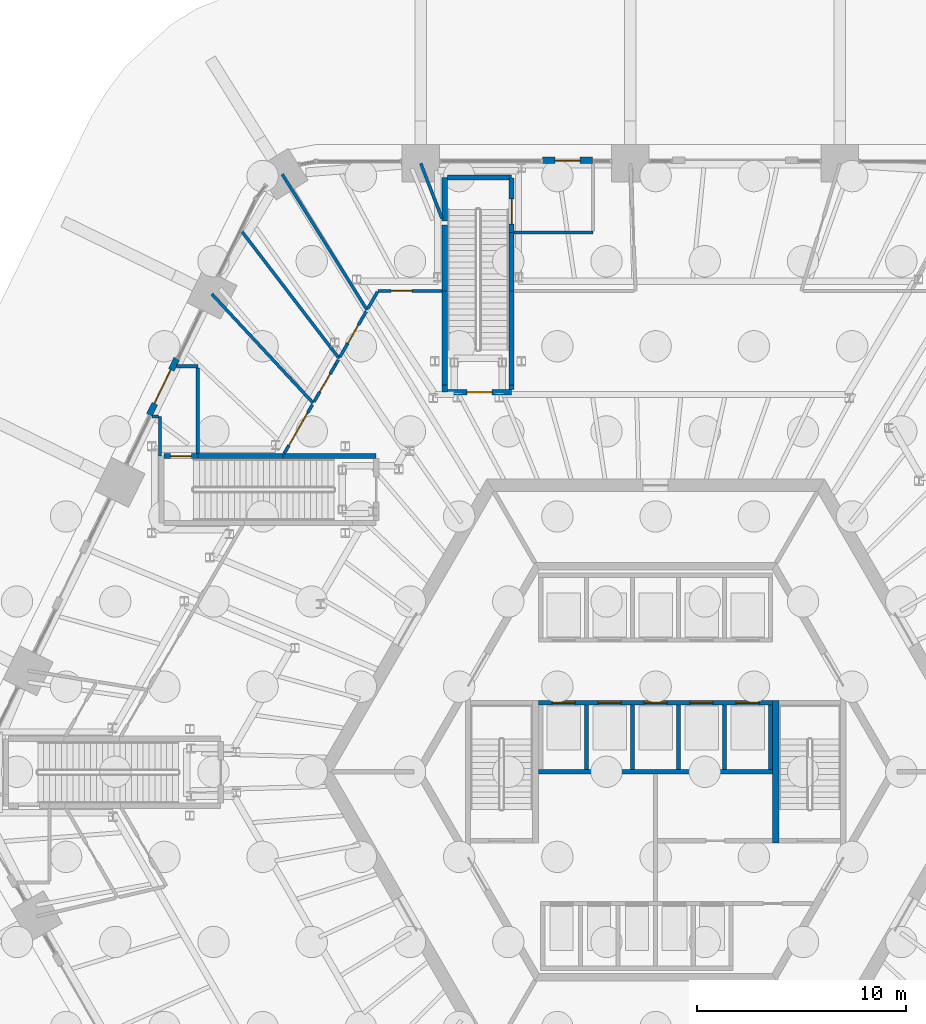
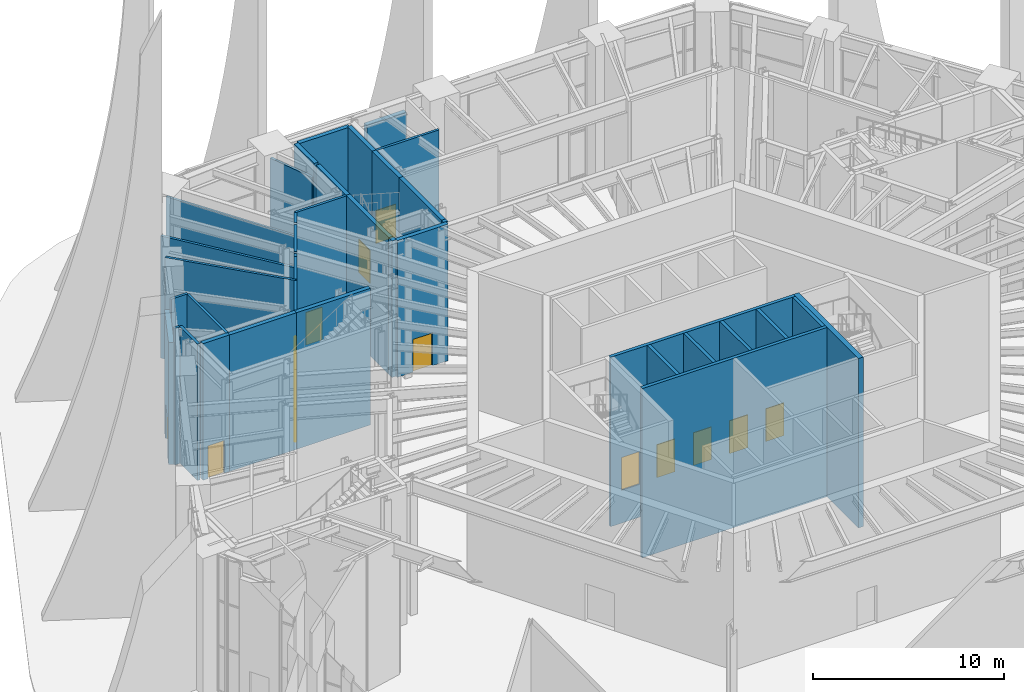
# One storey, part 28 of 43: 38 walls, 14 doors, 14 openings.
"""IFC4 building model written with IfcOpenShell, lengths in metres."""

from ifc_helpers import new_model, si_unit, direction, frame, frame_2d, origin, place, context, subcontext, project, spatial, rectangle, extrude, material, layer, layer_set, type_object, element, fill, save


model = new_model("IFC4")

# Units and contexts
model_context = context("Model", 3, precision=1e-05, world=origin(), true_north=direction((0.0, 1.0)))
body_context = subcontext(model_context, "Body", "Model", "MODEL_VIEW")
ifc_project = project(units=[si_unit("LENGTHUNIT", "METRE"), si_unit("AREAUNIT", "SQUARE_METRE"), si_unit("VOLUMEUNIT", "CUBIC_METRE"), si_unit("PLANEANGLEUNIT", "RADIAN"), si_unit("MASSUNIT", "GRAM", prefix="KILO")], contexts=[model_context])

# Site, building, storey
site_placement = place(None, origin())
site = spatial("IfcSite", under=ifc_project, at=site_placement, CompositionType="ELEMENT")
building_placement = place(site_placement, origin())
building = spatial("IfcBuilding", under=site, at=building_placement, Name="Tarnside Tower", CompositionType="ELEMENT")
storey_placement = place(building_placement, origin())
storey = spatial("IfcBuildingStorey", under=building, at=storey_placement, Name="L00", CompositionType="ELEMENT", Elevation=0.0)

# Wall, opening, door
ifc_material_1 = material(Name="Concrete C50/60 white precast", Category="concrete")
ifc_layer_1 = layer(ifc_material_1, 0.300048828125)
ifc_layer_set_1 = layer_set([ifc_layer_1], Name="Entrance portal wall 300")
wall_type_1 = type_object("IfcWallType", Name="Entrance portal wall 300", PredefinedType="SOLIDWALL", material=ifc_layer_set_1)
wall_1_placement = place(storey_placement, frame((-5.4111328125, 29.25, 0.0), z_axis=(0.0, 0.0, 1.0), x_axis=(1.0, 0.0, 0.0)))
wall_1 = element("IfcWall", 1, at=wall_1_placement, inside=storey, type_object=wall_type_1, Name="Exit portal wall PS1", PredefinedType="SOLIDWALL", context=body_context, shape_type="SweptSolid", body=[
    extrude(rectangle(XDim=2.400146484375, YDim=0.300048828125, at=frame_2d((1.2001953125, 0.0))), origin(), (0.0, 0.0, 1.0), 7.823486328125),
])
opening_1_placement = place(wall_1_placement, frame((0.60009765625, 0.0, 0.0)))
opening_1 = element("IfcOpeningElement", 2, at=opening_1_placement, cuts=wall_1, Name="Opening DX1200", PredefinedType="OPENING", context=body_context, shape_type="SweptSolid", body=[
    extrude(rectangle(XDim=1.199951171875, YDim=2.10009765625, at=frame_2d((0.60009765625, 1.050048828125))), frame((0.0, 0.16015625, 0.0), z_axis=(0.0, -1.0, 0.0), x_axis=(1.0, 0.0, 0.0)), (0.0, 0.0, 1.0), 0.320068359375),
])
ifc_material_2 = material(Name="Aluminium-framed toughened glass", Category="aluminium")
door_type_1 = type_object("IfcDoorType", Name="Final exit door 1200 x 2100", OperationType="NOTDEFINED", PredefinedType="DOOR", material=ifc_material_2)
door_1_placement = place(opening_1_placement, frame((0.0, -0.02490234375, 0.0)))
door_1 = element("IfcDoor", 3, at=door_1_placement, inside=storey, type_object=door_type_1, Name="Final exit door PS1", OperationType="SINGLE_SWING_LEFT", OverallHeight=2.10009765625, OverallWidth=1.199951171875, PredefinedType="DOOR", context=body_context, shape_type="SweptSolid", body=[
    extrude(rectangle(XDim=1.199951171875, YDim=2.10009765625, at=frame_2d((0.60009765625, 1.050048828125))), frame((0.0, 0.02490234375, 0.0), z_axis=(0.0, -1.0, 0.0), x_axis=(1.0, 0.0, 0.0)), (0.0, 0.0, 1.0), 0.050048828125),
])
fill(opening_1, door_1)

wall_2_placement = place(storey_placement, frame((-22.904296875, 19.763671875, 0.0), z_axis=(0.0, 0.0, 1.0), x_axis=(-0.43833704405, -0.898810678516, 0.0)))
wall_2 = element("IfcWall", 4, at=wall_2_placement, inside=storey, type_object=wall_type_1, Name="Entrance portal wall service 04", PredefinedType="SOLIDWALL", context=body_context, shape_type="SweptSolid", body=[
    extrude(rectangle(XDim=2.999755859375, YDim=0.300048828125, at=frame_2d((1.5, 0.0))), origin(), (0.0, 0.0, 1.0), 7.823486328125),
])
opening_2_placement = place(wall_2_placement, frame((0.60009765625, 0.0, 0.0)))
opening_2 = element("IfcOpeningElement", 5, at=opening_2_placement, cuts=wall_2, Name="Opening DE1800", PredefinedType="OPENING", context=body_context, shape_type="SweptSolid", body=[
    extrude(rectangle(XDim=1.800048828125, YDim=2.39990234375, at=frame_2d((0.89990234375, 1.199951171875))), frame((0.0, 0.16015625, 0.0), z_axis=(0.0, -1.0, 0.0), x_axis=(1.0, 0.0, 0.0)), (0.0, 0.0, 1.0), 0.320068359375),
])
door_type_2 = type_object("IfcDoorType", Name="Service door 1800 x 2400", OperationType="DOUBLE_DOOR_SLIDING", PredefinedType="DOOR", material=ifc_material_2)
door_2_placement = place(opening_2_placement, frame((0.0, -0.02490234375, 0.0)))
door_2 = element("IfcDoor", 6, at=door_2_placement, inside=storey, type_object=door_type_2, Name="Service door 02", OperationType="DOUBLE_DOOR_SLIDING", OverallHeight=2.39990234375, OverallWidth=1.800048828125, PredefinedType="DOOR", context=body_context, shape_type="SweptSolid", body=[
    extrude(rectangle(XDim=1.800048828125, YDim=2.39990234375, at=frame_2d((0.89990234375, 1.199951171875))), frame((0.0, 0.02490234375, 0.0), z_axis=(0.0, -1.0, 0.0), x_axis=(1.0, 0.0, 0.0)), (0.0, 0.0, 1.0), 0.050048828125),
])
fill(opening_2, door_2)

# Wall, openings, doors
ifc_material_3 = material(Name="Concrete C40/50", Category="concrete")
ifc_layer_2 = layer(ifc_material_3, 0.199951171875)
ifc_layer_set_2 = layer_set([ifc_layer_2], Name="Lift shaft wall 200 C40/50")
wall_type_2 = type_object("IfcWallType", Name="Lift shaft wall 200 C40/50", PredefinedType="SHEAR", material=ifc_layer_set_2)
wall_3_placement = place(storey_placement, frame((-5.60009765625, 3.300048828125, -2.10009765625), z_axis=(0.0, 0.0, 1.0), x_axis=(1.0, 0.0, 0.0)))
wall_3 = element("IfcWall", 7, at=wall_3_placement, inside=storey, type_object=wall_type_2, Name="L00 lift shaft front wall R2", PredefinedType="SHEAR", context=body_context, shape_type="SweptSolid", body=[
    extrude(rectangle(XDim=11.2001953125, YDim=0.199951171875, at=frame_2d((5.60009765625, 0.0))), origin(), (0.0, 0.0, 1.0), 10.85009765625),
])
opening_3_placement = place(wall_3_placement, frame((0.64990234375, 0.0, 2.10009765625)))
opening_3 = element("IfcOpeningElement", 8, at=opening_3_placement, cuts=wall_3, Name="Opening LD", PredefinedType="OPENING", context=body_context, shape_type="SweptSolid", body=[
    extrude(rectangle(XDim=1.10009765625, YDim=2.10009765625, at=frame_2d((0.550048828125, 1.050048828125))), frame((0.0, 0.10986328125, 0.0), z_axis=(0.0, -1.0, 0.0), x_axis=(1.0, 0.0, 0.0)), (0.0, 0.0, 1.0), 0.219970703125),
])
opening_4_placement = place(wall_3_placement, frame((2.85009765625, 0.0, 2.10009765625)))
opening_4 = element("IfcOpeningElement", 9, at=opening_4_placement, cuts=wall_3, Name="Opening LD", PredefinedType="OPENING", context=body_context, shape_type="SweptSolid", body=[
    extrude(rectangle(XDim=1.10009765625, YDim=2.10009765625, at=frame_2d((0.550048828125, 1.050048828125))), frame((0.0, 0.10986328125, 0.0), z_axis=(0.0, -1.0, 0.0), x_axis=(1.0, 0.0, 0.0)), (0.0, 0.0, 1.0), 0.219970703125),
])
opening_5_placement = place(wall_3_placement, frame((5.050048828125, 0.0, 2.10009765625)))
opening_5 = element("IfcOpeningElement", 10, at=opening_5_placement, cuts=wall_3, Name="Opening LD", PredefinedType="OPENING", context=body_context, shape_type="SweptSolid", body=[
    extrude(rectangle(XDim=1.10009765625, YDim=2.10009765625, at=frame_2d((0.550048828125, 1.050048828125))), frame((0.0, 0.10986328125, 0.0), z_axis=(0.0, -1.0, 0.0), x_axis=(1.0, 0.0, 0.0)), (0.0, 0.0, 1.0), 0.219970703125),
])
opening_6_placement = place(wall_3_placement, frame((7.25, 0.0, 2.10009765625)))
opening_6 = element("IfcOpeningElement", 11, at=opening_6_placement, cuts=wall_3, Name="Opening LD", PredefinedType="OPENING", context=body_context, shape_type="SweptSolid", body=[
    extrude(rectangle(XDim=1.10009765625, YDim=2.10009765625, at=frame_2d((0.550048828125, 1.050048828125))), frame((0.0, 0.10986328125, 0.0), z_axis=(0.0, -1.0, 0.0), x_axis=(1.0, 0.0, 0.0)), (0.0, 0.0, 1.0), 0.219970703125),
])
opening_7_placement = place(wall_3_placement, frame((9.449951171875, 0.0, 2.10009765625)))
opening_7 = element("IfcOpeningElement", 12, at=opening_7_placement, cuts=wall_3, Name="Opening LD", PredefinedType="OPENING", context=body_context, shape_type="SweptSolid", body=[
    extrude(rectangle(XDim=1.10009765625, YDim=2.10009765625, at=frame_2d((0.550048828125, 1.050048828125))), frame((0.0, 0.10986328125, 0.0), z_axis=(0.0, -1.0, 0.0), x_axis=(1.0, 0.0, 0.0)), (0.0, 0.0, 1.0), 0.219970703125),
])
ifc_material_4 = material(Name="Stainless steel", Category="steel")
door_type_3 = type_object("IfcDoorType", Name="Lift landing door 1100x2100", OperationType="NOTDEFINED", PredefinedType="DOOR", material=ifc_material_4)
door_3_placement = place(opening_3_placement, origin())
door_3 = element("IfcDoor", 13, at=door_3_placement, inside=storey, type_object=door_type_3, Name="Low-rise lift 4 landing door L00", OperationType="SLIDING_TO_LEFT", OverallHeight=2.10009765625, OverallWidth=1.10009765625, PredefinedType="DOOR", context=body_context, shape_type="SweptSolid", body=[
    extrude(rectangle(XDim=1.10009765625, YDim=2.10009765625, at=frame_2d((0.550048828125, 1.050048828125))), frame((0.0, 0.02490234375, 0.0), z_axis=(0.0, -1.0, 0.0), x_axis=(1.0, 0.0, 0.0)), (0.0, 0.0, 1.0), 0.050048828125),
])
fill(opening_3, door_3)
door_4_placement = place(opening_4_placement, origin())
door_4 = element("IfcDoor", 14, at=door_4_placement, inside=storey, type_object=door_type_3, Name="Low-rise lift 5 landing door L00", OperationType="SLIDING_TO_LEFT", OverallHeight=2.10009765625, OverallWidth=1.10009765625, PredefinedType="DOOR", context=body_context, shape_type="SweptSolid", body=[
    extrude(rectangle(XDim=1.10009765625, YDim=2.10009765625, at=frame_2d((0.550048828125, 1.050048828125))), frame((0.0, 0.02490234375, 0.0), z_axis=(0.0, -1.0, 0.0), x_axis=(1.0, 0.0, 0.0)), (0.0, 0.0, 1.0), 0.050048828125),
])
fill(opening_4, door_4)
door_5_placement = place(opening_5_placement, origin())
door_5 = element("IfcDoor", 15, at=door_5_placement, inside=storey, type_object=door_type_3, Name="Low-rise lift 6 landing door L00", OperationType="SLIDING_TO_LEFT", OverallHeight=2.10009765625, OverallWidth=1.10009765625, PredefinedType="DOOR", context=body_context, shape_type="SweptSolid", body=[
    extrude(rectangle(XDim=1.10009765625, YDim=2.10009765625, at=frame_2d((0.550048828125, 1.050048828125))), frame((0.0, 0.02490234375, 0.0), z_axis=(0.0, -1.0, 0.0), x_axis=(1.0, 0.0, 0.0)), (0.0, 0.0, 1.0), 0.050048828125),
])
fill(opening_5, door_5)
door_6_placement = place(opening_6_placement, origin())
door_6 = element("IfcDoor", 16, at=door_6_placement, inside=storey, type_object=door_type_3, Name="High sky-lobby shuttle 1 landing door L00", OperationType="SLIDING_TO_LEFT", OverallHeight=2.10009765625, OverallWidth=1.10009765625, PredefinedType="DOOR", context=body_context, shape_type="SweptSolid", body=[
    extrude(rectangle(XDim=1.10009765625, YDim=2.10009765625, at=frame_2d((0.550048828125, 1.050048828125))), frame((0.0, 0.02490234375, 0.0), z_axis=(0.0, -1.0, 0.0), x_axis=(1.0, 0.0, 0.0)), (0.0, 0.0, 1.0), 0.050048828125),
])
fill(opening_6, door_6)
door_7_placement = place(opening_7_placement, origin())
door_7 = element("IfcDoor", 17, at=door_7_placement, inside=storey, type_object=door_type_3, Name="Express sky-lobby shuttle 2 landing door L00", OperationType="SLIDING_TO_LEFT", OverallHeight=2.10009765625, OverallWidth=1.10009765625, PredefinedType="DOOR", context=body_context, shape_type="SweptSolid", body=[
    extrude(rectangle(XDim=1.10009765625, YDim=2.10009765625, at=frame_2d((0.550048828125, 1.050048828125))), frame((0.0, 0.02490234375, 0.0), z_axis=(0.0, -1.0, 0.0), x_axis=(1.0, 0.0, 0.0)), (0.0, 0.0, 1.0), 0.050048828125),
])
fill(opening_7, door_7)

# Walls
wall_4_placement = place(storey_placement, frame((-5.60009765625, 0.0, -2.10009765625), z_axis=(0.0, 0.0, 1.0), x_axis=(1.0, 0.0, 0.0)))
element("IfcWall", 18, at=wall_4_placement, inside=storey, type_object=wall_type_2, Name="L00 lift shaft back wall R2", PredefinedType="SHEAR", context=body_context, shape_type="SweptSolid", body=[
    extrude(rectangle(XDim=11.2001953125, YDim=0.199951171875, at=frame_2d((5.60009765625, 0.0))), origin(), (0.0, 0.0, 1.0), 10.85009765625),
])
for number, where, z_axis, x_axis, name in (
    (19, (-3.300048828125, 0.10009765625, -2.10009765625), (0.0, 0.0, 1.0), (0.0, 1.0, 0.0), "L00 lift shaft partition R22"),
    (20, (-1.10009765625, 0.10009765625, -2.10009765625), (0.0, 0.0, 1.0), (0.0, 1.0, 0.0), "L00 lift shaft partition R23"),
    (21, (1.10009765625, 0.10009765625, -2.10009765625), (0.0, 0.0, 1.0), (0.0, 1.0, 0.0), "L00 lift shaft partition R24"),
    (22, (3.300048828125, 0.10009765625, -2.10009765625), (0.0, 0.0, 1.0), (0.0, 1.0, 0.0), "L00 lift shaft partition R25"),
    (23, (5.5, 0.10009765625, -2.10009765625), (0.0, 0.0, 1.0), (0.0, 1.0, 0.0), "L00 lift shaft partition R26"),
):
    element("IfcWall", number, at=place(storey_placement, frame(where, z_axis=z_axis, x_axis=x_axis)), inside=storey, type_object=wall_type_2, Name=name, PredefinedType="SHEAR", context=body_context, shape_type="SweptSolid", body=[
        extrude(rectangle(XDim=3.099853515625, YDim=0.199951171875, at=frame_2d((1.5498046875, 0.0))), origin(), (0.0, 0.0, 1.0), 10.85009765625),
    ])
ifc_material_5 = material(Name="Gypsum board")
ifc_layer_3 = layer(ifc_material_5, 0.14990234375)
ifc_layer_set_3 = layer_set([ifc_layer_3], Name="Partition 150 gypsum board on metal stud")
wall_type_3 = type_object("IfcWallType", Name="Partition 150 gypsum board on metal stud", PredefinedType="PARTITIONING", material=ifc_layer_set_3)
wall_5_placement = place(storey_placement, frame((-23.699951171875, 15.10009765625, 0.0), z_axis=(0.0, 0.0, 1.0), x_axis=(0.0, 1.0, 0.0)))
element("IfcWall", 24, at=wall_5_placement, inside=storey, type_object=wall_type_3, Name="Partition 019", PredefinedType="PARTITIONING", context=body_context, shape_type="SweptSolid", body=[
    extrude(rectangle(XDim=1.89990234375, YDim=0.14990234375, at=frame_2d((0.949951171875, 0.0))), origin(), (0.0, 0.0, 1.0), 8.75),
])
wall_6_placement = place(storey_placement, frame((-23.77490234375, 17.0, 0.0), z_axis=(0.0, 0.0, 1.0), x_axis=(-1.0, 0.0, 0.0)))
element("IfcWall", 25, at=wall_6_placement, inside=storey, type_object=wall_type_3, Name="Partition 020", PredefinedType="PARTITIONING", context=body_context, shape_type="SweptSolid", body=[
    extrude(rectangle(XDim=0.31005859375, YDim=0.14990234375, at=frame_2d((0.155029296875, 0.0))), origin(), (0.0, 0.0, 1.0), 8.75),
])
wall_7_placement = place(storey_placement, frame((-22.9150390625, 19.39990234375, 0.0), z_axis=(0.0, 0.0, 1.0), x_axis=(1.0, 0.0, 0.0)))
element("IfcWall", 26, at=wall_7_placement, inside=storey, type_object=wall_type_3, Name="Partition 023", PredefinedType="PARTITIONING", context=body_context, shape_type="SweptSolid", body=[
    extrude(rectangle(XDim=1.01513671875, YDim=0.14990234375, at=frame_2d((0.507568359375, 0.0))), origin(), (0.0, 0.0, 1.0), 8.75),
])
wall_8_placement = place(storey_placement, frame((-21.89990234375, 19.324951171875, 0.0), z_axis=(0.0, 0.0, 1.0), x_axis=(0.0, -1.0, 0.0)))
element("IfcWall", 27, at=wall_8_placement, inside=storey, type_object=wall_type_3, Name="Partition 027", PredefinedType="PARTITIONING", context=body_context, shape_type="SweptSolid", body=[
    extrude(rectangle(XDim=4.099853515625, YDim=0.14990234375, at=frame_2d((2.0498046875, 0.0))), origin(), (0.0, 0.0, 1.0), 8.75),
])
wall_9_placement = place(storey_placement, frame((-21.22998046875, 22.85400390625, 0.0), z_axis=(0.0, 0.0, 1.0), x_axis=(0.68068621698, -0.732575097866, 0.0)))
element("IfcWall", 28, at=wall_9_placement, inside=storey, type_object=wall_type_3, Name="Partition 028", PredefinedType="PARTITIONING", context=body_context, shape_type="SweptSolid", body=[
    extrude(rectangle(XDim=7.128173828125, YDim=0.14990234375, at=frame_2d((3.56396484375, 0.0))), origin(), (0.0, 0.0, 1.0), 8.75),
])
wall_10_placement = place(storey_placement, frame((-19.779052734375, 25.827880859375, 0.0), z_axis=(0.0, 0.0, 1.0), x_axis=(0.608006046858, -0.793932394467, 0.0)))
element("IfcWall", 29, at=wall_10_placement, inside=storey, type_object=wall_type_3, Name="Partition 032", PredefinedType="PARTITIONING", context=body_context, shape_type="SweptSolid", body=[
    extrude(rectangle(XDim=7.62646484375, YDim=0.14990234375, at=frame_2d((3.813232421875, 0.0))), origin(), (0.0, 0.0, 1.0), 7.823486328125),
])
wall_11_placement = place(storey_placement, frame((-17.861083984375, 28.583984375, 0.0), z_axis=(0.0, 0.0, 1.0), x_axis=(0.529910081433, -0.848053834138, 0.0)))
element("IfcWall", 30, at=wall_11_placement, inside=storey, type_object=wall_type_3, Name="Partition 037", PredefinedType="PARTITIONING", context=body_context, shape_type="SweptSolid", body=[
    extrude(rectangle(XDim=7.65625, YDim=0.14990234375, at=frame_2d((3.828125, 0.0))), origin(), (0.0, 0.0, 1.0), 7.98779296875),
])

# Wall, opening, door
wall_12_placement = place(storey_placement, frame((-16.417236328125, 17.56396484375, 0.0), z_axis=(0.0, 0.0, 1.0), x_axis=(-0.500066738792, -0.865986868696, 0.0)))
wall_12 = element("IfcWall", 31, at=wall_12_placement, inside=storey, type_object=wall_type_3, Name="Partition 039", PredefinedType="PARTITIONING", context=body_context, shape_type="SweptSolid", body=[
    extrude(rectangle(XDim=2.700927734375, YDim=0.14990234375, at=frame_2d((1.3505859375, 0.0))), origin(), (0.0, 0.0, 1.0), 8.75),
])
opening_8_placement = place(wall_12_placement, frame((0.450439453125, 0.0, 0.0)))
opening_8 = element("IfcOpeningElement", 32, at=opening_8_placement, cuts=wall_12, Name="Opening D1800F30", PredefinedType="OPENING", context=body_context, shape_type="SweptSolid", body=[
    extrude(rectangle(XDim=1.800048828125, YDim=2.10009765625, at=frame_2d((0.89990234375, 1.050048828125))), frame((0.0, 0.0849609375, 0.0), z_axis=(0.0, -1.0, 0.0), x_axis=(1.0, 0.0, 0.0)), (0.0, 0.0, 1.0), 0.169921875),
])
ifc_material_6 = material(Name="Timber door leaf", Category="wood")
door_type_4 = type_object("IfcDoorType", Name="Door pair 1800 x 2100 FD30S fire door", OperationType="NOTDEFINED", PredefinedType="DOOR", material=ifc_material_6)
door_8_placement = place(opening_8_placement, origin())
door_8 = element("IfcDoor", 33, at=door_8_placement, inside=storey, type_object=door_type_4, Name="Door L00-10", OperationType="DOUBLE_DOOR_SINGLE_SWING", OverallHeight=2.10009765625, OverallWidth=1.800048828125, PredefinedType="DOOR", context=body_context, shape_type="SweptSolid", body=[
    extrude(rectangle(XDim=1.800048828125, YDim=2.10009765625, at=frame_2d((0.89990234375, 1.050048828125))), frame((0.0, 0.02490234375, 0.0), z_axis=(0.0, -1.0, 0.0), x_axis=(1.0, 0.0, 0.0)), (0.0, 0.0, 1.0), 0.050048828125),
])
fill(opening_8, door_8)

wall_13_placement = place(storey_placement, frame((-16.3388671875, 17.699951171875, 0.0), z_axis=(0.0, 0.0, 1.0), x_axis=(0.500370112486, 0.865811613765, 0.0)))
wall_13 = element("IfcWall", 34, at=wall_13_placement, inside=storey, type_object=wall_type_3, Name="Partition 042", PredefinedType="PARTITIONING", context=body_context, shape_type="SweptSolid", body=[
    extrude(rectangle(XDim=2.06640625, YDim=0.14990234375, at=frame_2d((1.033203125, 0.0))), origin(), (0.0, 0.0, 1.0), 8.75),
])
opening_9_placement = place(wall_13_placement, frame((0.533203125, 0.0, 0.0)))
opening_9 = element("IfcOpeningElement", 35, at=opening_9_placement, cuts=wall_13, Name="Opening D1000", PredefinedType="OPENING", context=body_context, shape_type="SweptSolid", body=[
    extrude(rectangle(XDim=1.0, YDim=2.10009765625, at=frame_2d((0.5, 1.050048828125))), frame((0.0, 0.0849609375, 0.0), z_axis=(0.0, -1.0, 0.0), x_axis=(1.0, 0.0, 0.0)), (0.0, 0.0, 1.0), 0.169921875),
])
door_type_5 = type_object("IfcDoorType", Name="Door 1000 x 2100 single leaf", OperationType="NOTDEFINED", PredefinedType="DOOR", material=ifc_material_6)
door_9_placement = place(opening_9_placement, origin())
door_9 = element("IfcDoor", 36, at=door_9_placement, inside=storey, type_object=door_type_5, Name="Door L00-12", OperationType="SINGLE_SWING_LEFT", OverallHeight=2.10009765625, OverallWidth=1.0, PredefinedType="DOOR", context=body_context, shape_type="SweptSolid", body=[
    extrude(rectangle(XDim=1.0, YDim=2.10009765625, at=frame_2d((0.5, 1.050048828125))), frame((0.0, 0.02490234375, 0.0), z_axis=(0.0, -1.0, 0.0), x_axis=(1.0, 0.0, 0.0)), (0.0, 0.0, 1.0), 0.050048828125),
])
fill(opening_9, door_9)

# Wall
wall_14_placement = place(storey_placement, frame((-15.1826171875, 19.70263671875, 0.0), z_axis=(0.0, 0.0, 1.0), x_axis=(-0.49869419223, -0.86677800078, 0.0)))
element("IfcWall", 37, at=wall_14_placement, inside=storey, type_object=wall_type_3, Name="Partition 043", PredefinedType="PARTITIONING", context=body_context, shape_type="SweptSolid", body=[
    extrude(rectangle(XDim=0.267333984375, YDim=0.14990234375, at=frame_2d((0.1337890625, 0.0))), origin(), (0.0, 0.0, 1.0), 8.75),
])

# Wall, opening, door
wall_15_placement = place(storey_placement, frame((-13.846435546875, 22.017333984375, 0.0), z_axis=(0.0, 0.0, 1.0), x_axis=(-0.499904868165, -0.866080321209, 0.0)))
wall_15 = element("IfcWall", 38, at=wall_15_placement, inside=storey, type_object=wall_type_3, Name="Partition 045", PredefinedType="PARTITIONING", context=body_context, shape_type="SweptSolid", body=[
    extrude(rectangle(XDim=2.51025390625, YDim=0.14990234375, at=frame_2d((1.255126953125, 0.0))), origin(), (0.0, 0.0, 1.0), 8.75),
])
opening_10_placement = place(wall_15_placement, frame((0.755126953125, 0.0, 0.0)))
opening_10 = element("IfcOpeningElement", 39, at=opening_10_placement, cuts=wall_15, Name="Opening D1000F30", PredefinedType="OPENING", context=body_context, shape_type="SweptSolid", body=[
    extrude(rectangle(XDim=1.0, YDim=2.10009765625, at=frame_2d((0.5, 1.050048828125))), frame((0.0, 0.0849609375, 0.0), z_axis=(0.0, -1.0, 0.0), x_axis=(1.0, 0.0, 0.0)), (0.0, 0.0, 1.0), 0.169921875),
])
door_type_6 = type_object("IfcDoorType", Name="Door 1000 x 2100 single leaf FD30S fire door", OperationType="NOTDEFINED", PredefinedType="DOOR", material=ifc_material_6)
door_10_placement = place(opening_10_placement, origin())
door_10 = element("IfcDoor", 40, at=door_10_placement, inside=storey, type_object=door_type_6, Name="Door L00-13", OperationType="SINGLE_SWING_RIGHT", OverallHeight=2.10009765625, OverallWidth=1.0, PredefinedType="DOOR", context=body_context, shape_type="SweptSolid", body=[
    extrude(rectangle(XDim=1.0, YDim=2.10009765625, at=frame_2d((0.5, 1.050048828125))), frame((0.0, 0.02490234375, 0.0), z_axis=(0.0, -1.0, 0.0), x_axis=(1.0, 0.0, 0.0)), (0.0, 0.0, 1.0), 0.050048828125),
])
fill(opening_10, door_10)

# Wall
wall_16_placement = place(storey_placement, frame((-13.303955078125, 22.9580078125, 0.0), z_axis=(0.0, 0.0, 1.0), x_axis=(-0.499522450607, -0.866300941555, 0.0)))
element("IfcWall", 41, at=wall_16_placement, inside=storey, type_object=wall_type_3, Name="Partition 048", PredefinedType="PARTITIONING", context=body_context, shape_type="SweptSolid", body=[
    extrude(rectangle(XDim=0.916015625, YDim=0.14990234375, at=frame_2d((0.4580078125, 0.0))), origin(), (0.0, 0.0, 1.0), 8.75),
])

# Wall, opening, door
wall_17_placement = place(storey_placement, frame((-13.279052734375, 23.0, 0.0), z_axis=(0.0, 0.0, 1.0), x_axis=(1.0, 0.0, 0.0)))
wall_17 = element("IfcWall", 42, at=wall_17_placement, inside=storey, type_object=wall_type_3, Name="Partition 054", PredefinedType="PARTITIONING", context=body_context, shape_type="SweptSolid", body=[
    extrude(rectangle(XDim=3.06396484375, YDim=0.14990234375, at=frame_2d((1.531982421875, 0.0))), origin(), (0.0, 0.0, 1.0), 8.75),
])
opening_11_placement = place(wall_17_placement, frame((0.632080078125, 0.0, 0.0)))
opening_11 = element("IfcOpeningElement", 43, at=opening_11_placement, cuts=wall_17, Name="Opening D1000F30", PredefinedType="OPENING", context=body_context, shape_type="SweptSolid", body=[
    extrude(rectangle(XDim=1.0, YDim=2.10009765625, at=frame_2d((0.5, 1.050048828125))), frame((0.0, 0.0849609375, 0.0), z_axis=(0.0, -1.0, 0.0), x_axis=(1.0, 0.0, 0.0)), (0.0, 0.0, 1.0), 0.169921875),
])
door_11_placement = place(opening_11_placement, origin())
door_11 = element("IfcDoor", 44, at=door_11_placement, inside=storey, type_object=door_type_6, Name="Door L00-16", OperationType="SINGLE_SWING_LEFT", OverallHeight=2.10009765625, OverallWidth=1.0, PredefinedType="DOOR", context=body_context, shape_type="SweptSolid", body=[
    extrude(rectangle(XDim=1.0, YDim=2.10009765625, at=frame_2d((0.5, 1.050048828125))), frame((0.0, 0.02490234375, 0.0), z_axis=(0.0, -1.0, 0.0), x_axis=(1.0, 0.0, 0.0)), (0.0, 0.0, 1.0), 0.050048828125),
])
fill(opening_11, door_11)

# Walls
wall_18_placement = place(storey_placement, frame((-10.215087890625, 26.457763671875, 0.0), z_axis=(0.0, 0.0, 1.0), x_axis=(-0.360128239505, 0.932902809038, 0.0)))
element("IfcWall", 45, at=wall_18_placement, inside=storey, type_object=wall_type_3, Name="Partition 055", PredefinedType="PARTITIONING", context=body_context, shape_type="SweptSolid", body=[
    extrude(rectangle(XDim=2.832275390625, YDim=0.14990234375, at=frame_2d((1.416015625, 0.0))), origin(), (0.0, 0.0, 1.0), 7.823486328125),
])
wall_19_placement = place(storey_placement, frame((-3.0, 25.800048828125, 0.0), z_axis=(0.0, 0.0, 1.0), x_axis=(-1.0, 0.0, 0.0)))
element("IfcWall", 46, at=wall_19_placement, inside=storey, type_object=wall_type_3, Name="Partition 065", PredefinedType="PARTITIONING", context=body_context, shape_type="SweptSolid", body=[
    extrude(rectangle(XDim=3.764892578125, YDim=0.14990234375, at=frame_2d((1.88232421875, 0.0))), origin(), (0.0, 0.0, 1.0), 8.75),
])
ifc_layer_4 = layer(ifc_material_3, 0.300048828125)
ifc_layer_set_4 = layer_set([ifc_layer_4], Name="Stair enclosure wall 300 C40/50")
wall_type_4 = type_object("IfcWallType", Name="Stair enclosure wall 300 C40/50", PredefinedType="SHEAR", material=ifc_layer_set_4)
wall_20_placement = place(storey_placement, frame((5.75, -3.39990234375, -2.10009765625), z_axis=(0.0, 0.0, 1.0), x_axis=(0.0, 1.0, 0.0)))
element("IfcWall", 47, at=wall_20_placement, inside=storey, type_object=wall_type_4, Name="L00 stair 1 enclosure wall inner", PredefinedType="SHEAR", context=body_context, shape_type="SweptSolid", body=[
    extrude(rectangle(XDim=6.7998046875, YDim=0.300048828125, at=frame_2d((3.39990234375, 0.0))), origin(), (0.0, 0.0, 1.0), 10.85009765625),
])
ifc_material_7 = material(Name="Concrete C32/40", Category="concrete")
ifc_layer_5 = layer(ifc_material_7, 0.25)
ifc_layer_set_5 = layer_set([ifc_layer_5], Name="Wall 250 reinforced Concrete C32/40")
wall_type_5 = type_object("IfcWallType", Name="Wall 250 reinforced Concrete C32/40", PredefinedType="PARTITIONING", material=ifc_layer_set_5)
wall_21_placement = place(storey_placement, frame((-21.909912109375, 15.10009765625, 0.0), z_axis=(0.0, 0.0, 1.0), x_axis=(1.0, 0.0, 0.0)))
element("IfcWall", 48, at=wall_21_placement, inside=storey, type_object=wall_type_5, Name="Partition 025", PredefinedType="PARTITIONING", context=body_context, shape_type="SweptSolid", body=[
    extrude(rectangle(XDim=4.08203125, YDim=0.25, at=frame_2d((2.041015625, 0.0))), origin(), (0.0, 0.0, 1.0), 8.75),
])

# Wall, opening, door
wall_22_placement = place(storey_placement, frame((-21.89990234375, 15.10009765625, 0.0), z_axis=(0.0, 0.0, 1.0), x_axis=(-1.0, 0.0, 0.0)))
wall_22 = element("IfcWall", 49, at=wall_22_placement, inside=storey, type_object=wall_type_5, Name="Partition 026", PredefinedType="PARTITIONING", context=body_context, shape_type="SweptSolid", body=[
    extrude(rectangle(XDim=1.610107421875, YDim=0.25, at=frame_2d((0.80517578125, 0.0))), origin(), (0.0, 0.0, 1.0), 8.75),
])
opening_12_placement = place(wall_22_placement, frame((0.304931640625, 0.0, 0.0)))
opening_12 = element("IfcOpeningElement", 50, at=opening_12_placement, cuts=wall_22, Name="Opening D1000F60S", PredefinedType="OPENING", context=body_context, shape_type="SweptSolid", body=[
    extrude(rectangle(XDim=1.0, YDim=2.10009765625, at=frame_2d((0.5, 1.050048828125))), frame((0.0, 0.135009765625, 0.0), z_axis=(0.0, -1.0, 0.0), x_axis=(1.0, 0.0, 0.0)), (0.0, 0.0, 1.0), 0.27001953125),
])
door_type_7 = type_object("IfcDoorType", Name="Door 1000 x 2100 single leaf FD60S fire door", OperationType="NOTDEFINED", PredefinedType="DOOR", material=ifc_material_6)
door_12_placement = place(opening_12_placement, origin())
door_12 = element("IfcDoor", 51, at=door_12_placement, inside=storey, type_object=door_type_7, Name="Door L00-07", OperationType="SINGLE_SWING_RIGHT", OverallHeight=2.10009765625, OverallWidth=1.0, PredefinedType="DOOR", context=body_context, shape_type="SweptSolid", body=[
    extrude(rectangle(XDim=1.0, YDim=2.10009765625, at=frame_2d((0.5, 1.050048828125))), frame((0.0, 0.02490234375, 0.0), z_axis=(0.0, -1.0, 0.0), x_axis=(1.0, 0.0, 0.0)), (0.0, 0.0, 1.0), 0.050048828125),
])
fill(opening_12, door_12)

# Walls
wall_23_placement = place(storey_placement, frame((-17.85009765625, 15.10009765625, 0.0), z_axis=(0.0, 0.0, 1.0), x_axis=(1.0, 0.0, 0.0)))
element("IfcWall", 52, at=wall_23_placement, inside=storey, type_object=wall_type_5, Name="Partition 038", PredefinedType="PARTITIONING", context=body_context, shape_type="SweptSolid", body=[
    extrude(rectangle(XDim=4.485107421875, YDim=0.25, at=frame_2d((2.24267578125, 0.0))), origin(), (0.0, 0.0, 1.0), 8.75),
])
wall_24_placement = place(storey_placement, frame((-10.090087890625, 18.155029296875, 0.0), z_axis=(0.0, 0.0, 1.0), x_axis=(0.0, 1.0, 0.0)))
element("IfcWall", 53, at=wall_24_placement, inside=storey, type_object=wall_type_5, Name="Partition 051", PredefinedType="PARTITIONING", context=body_context, shape_type="SweptSolid", body=[
    extrude(rectangle(XDim=0.35498046875, YDim=0.25, at=frame_2d((0.177490234375, 0.0))), origin(), (0.0, 0.0, 1.0), 8.75),
])
wall_25_placement = place(storey_placement, frame((-10.090087890625, 18.489990234375, 0.0), z_axis=(0.0, 0.0, 1.0), x_axis=(0.0, 1.0, 0.0)))
element("IfcWall", 54, at=wall_25_placement, inside=storey, type_object=wall_type_5, Name="Partition 052", PredefinedType="PARTITIONING", context=body_context, shape_type="SweptSolid", body=[
    extrude(rectangle(XDim=4.52001953125, YDim=0.25, at=frame_2d((2.260009765625, 0.0))), origin(), (0.0, 0.0, 1.0), 8.75),
])
wall_26_placement = place(storey_placement, frame((-10.090087890625, 22.989990234375, 0.0), z_axis=(0.0, 0.0, 1.0), x_axis=(0.0, 1.0, 0.0)))
element("IfcWall", 55, at=wall_26_placement, inside=storey, type_object=wall_type_5, Name="Partition 053", PredefinedType="PARTITIONING", context=body_context, shape_type="SweptSolid", body=[
    extrude(rectangle(XDim=3.1708984375, YDim=0.25, at=frame_2d((1.58544921875, 0.0))), origin(), (0.0, 0.0, 1.0), 8.75),
])
wall_27_placement = place(storey_placement, frame((-10.090087890625, 28.425048828125, 0.0), z_axis=(0.0, 0.0, 1.0), x_axis=(0.0, -1.0, 0.0)))
element("IfcWall", 56, at=wall_27_placement, inside=storey, type_object=wall_type_5, Name="Partition 056", PredefinedType="PARTITIONING", context=body_context, shape_type="SweptSolid", body=[
    extrude(rectangle(XDim=2.082763671875, YDim=0.25, at=frame_2d((1.04150390625, 0.0))), origin(), (0.0, 0.0, 1.0), 8.75),
])

# Wall, opening, door
wall_28_placement = place(storey_placement, frame((-6.889892578125, 18.155029296875, 0.0), z_axis=(0.0, 0.0, 1.0), x_axis=(-1.0, 0.0, 0.0)))
wall_28 = element("IfcWall", 57, at=wall_28_placement, inside=storey, type_object=wall_type_5, Name="Partition 059", PredefinedType="PARTITIONING", context=body_context, shape_type="SweptSolid", body=[
    extrude(rectangle(XDim=3.0751953125, YDim=0.25, at=frame_2d((1.53759765625, 0.0))), origin(), (0.0, 0.0, 1.0), 8.75),
])
opening_13_placement = place(wall_28_placement, frame((0.9375, 0.0, 0.0)))
opening_13 = element("IfcOpeningElement", 58, at=opening_13_placement, cuts=wall_28, Name="Opening D1200F60S", PredefinedType="OPENING", context=body_context, shape_type="SweptSolid", body=[
    extrude(rectangle(XDim=1.199951171875, YDim=2.10009765625, at=frame_2d((0.60009765625, 1.050048828125))), frame((0.0, 0.135009765625, 0.0), z_axis=(0.0, -1.0, 0.0), x_axis=(1.0, 0.0, 0.0)), (0.0, 0.0, 1.0), 0.27001953125),
])
door_type_8 = type_object("IfcDoorType", Name="Door 1200 x 2100 single leaf FD60S fire door", OperationType="NOTDEFINED", PredefinedType="DOOR", material=ifc_material_6)
door_13_placement = place(opening_13_placement, origin())
door_13 = element("IfcDoor", 59, at=door_13_placement, inside=storey, type_object=door_type_8, Name="Door L00-18", OperationType="SINGLE_SWING_LEFT", OverallHeight=2.10009765625, OverallWidth=1.199951171875, PredefinedType="DOOR", context=body_context, shape_type="SweptSolid", body=[
    extrude(rectangle(XDim=1.199951171875, YDim=2.10009765625, at=frame_2d((0.60009765625, 1.050048828125))), frame((0.0, 0.02490234375, 0.0), z_axis=(0.0, -1.0, 0.0), x_axis=(1.0, 0.0, 0.0)), (0.0, 0.0, 1.0), 0.050048828125),
])
fill(opening_13, door_13)

# Walls
wall_29_placement = place(storey_placement, frame((-6.889892578125, 18.510009765625, 0.0), z_axis=(0.0, 0.0, 1.0), x_axis=(0.0, -1.0, 0.0)))
element("IfcWall", 60, at=wall_29_placement, inside=storey, type_object=wall_type_5, Name="Partition 060", PredefinedType="PARTITIONING", context=body_context, shape_type="SweptSolid", body=[
    extrude(rectangle(XDim=0.22998046875, YDim=0.25, at=frame_2d((0.114990234375, 0.0))), origin(), (0.0, 0.0, 1.0), 8.75),
])
wall_30_placement = place(storey_placement, frame((-6.889892578125, 23.010009765625, 0.0), z_axis=(0.0, 0.0, 1.0), x_axis=(0.0, -1.0, 0.0)))
element("IfcWall", 61, at=wall_30_placement, inside=storey, type_object=wall_type_5, Name="Partition 061", PredefinedType="PARTITIONING", context=body_context, shape_type="SweptSolid", body=[
    extrude(rectangle(XDim=4.52001953125, YDim=0.25, at=frame_2d((2.260009765625, 0.0))), origin(), (0.0, 0.0, 1.0), 8.75),
])

# Wall, opening, door
wall_31_placement = place(storey_placement, frame((-6.889892578125, 28.39990234375, 0.0), z_axis=(0.0, 0.0, 1.0), x_axis=(0.0, -1.0, 0.0)))
wall_31 = element("IfcWall", 62, at=wall_31_placement, inside=storey, type_object=wall_type_5, Name="Partition 062", PredefinedType="PARTITIONING", context=body_context, shape_type="SweptSolid", body=[
    extrude(rectangle(XDim=2.599853515625, YDim=0.25, at=frame_2d((1.2998046875, 0.0))), origin(), (0.0, 0.0, 1.0), 8.75),
])
opening_14_placement = place(wall_31_placement, frame((1.0, 0.0, 0.0)))
opening_14 = element("IfcOpeningElement", 63, at=opening_14_placement, cuts=wall_31, Name="Opening D1200F60S", PredefinedType="OPENING", context=body_context, shape_type="SweptSolid", body=[
    extrude(rectangle(XDim=1.199951171875, YDim=2.10009765625, at=frame_2d((0.60009765625, 1.050048828125))), frame((0.0, 0.135009765625, 0.0), z_axis=(0.0, -1.0, 0.0), x_axis=(1.0, 0.0, 0.0)), (0.0, 0.0, 1.0), 0.27001953125),
])
door_14_placement = place(opening_14_placement, origin())
door_14 = element("IfcDoor", 64, at=door_14_placement, inside=storey, type_object=door_type_8, Name="Door L00-19", OperationType="SINGLE_SWING_RIGHT", OverallHeight=2.10009765625, OverallWidth=1.199951171875, PredefinedType="DOOR", context=body_context, shape_type="SweptSolid", body=[
    extrude(rectangle(XDim=1.199951171875, YDim=2.10009765625, at=frame_2d((0.60009765625, 1.050048828125))), frame((0.0, 0.02490234375, 0.0), z_axis=(0.0, -1.0, 0.0), x_axis=(1.0, 0.0, 0.0)), (0.0, 0.0, 1.0), 0.050048828125),
])
fill(opening_14, door_14)

# Walls
wall_32_placement = place(storey_placement, frame((-6.889892578125, 25.81005859375, 0.0), z_axis=(0.0, 0.0, 1.0), x_axis=(0.0, -1.0, 0.0)))
element("IfcWall", 65, at=wall_32_placement, inside=storey, type_object=wall_type_5, Name="Partition 063", PredefinedType="PARTITIONING", context=body_context, shape_type="SweptSolid", body=[
    extrude(rectangle(XDim=2.820068359375, YDim=0.25, at=frame_2d((1.41015625, 0.0))), origin(), (0.0, 0.0, 1.0), 8.75),
])
wall_33_placement = place(storey_placement, frame((-6.889892578125, 28.425048828125, 0.0), z_axis=(0.0, 0.0, 1.0), x_axis=(-1.0, 0.0, 0.0)))
element("IfcWall", 66, at=wall_33_placement, inside=storey, type_object=wall_type_5, Name="Partition 064", PredefinedType="PARTITIONING", context=body_context, shape_type="SweptSolid", body=[
    extrude(rectangle(XDim=3.0751953125, YDim=0.25, at=frame_2d((1.53759765625, 0.0))), origin(), (0.0, 0.0, 1.0), 8.75),
])

save(model, "model.ifc")
